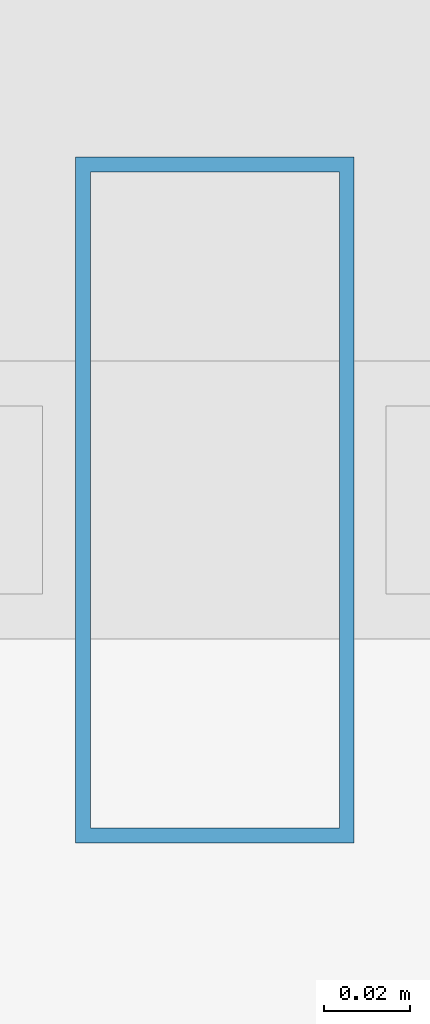
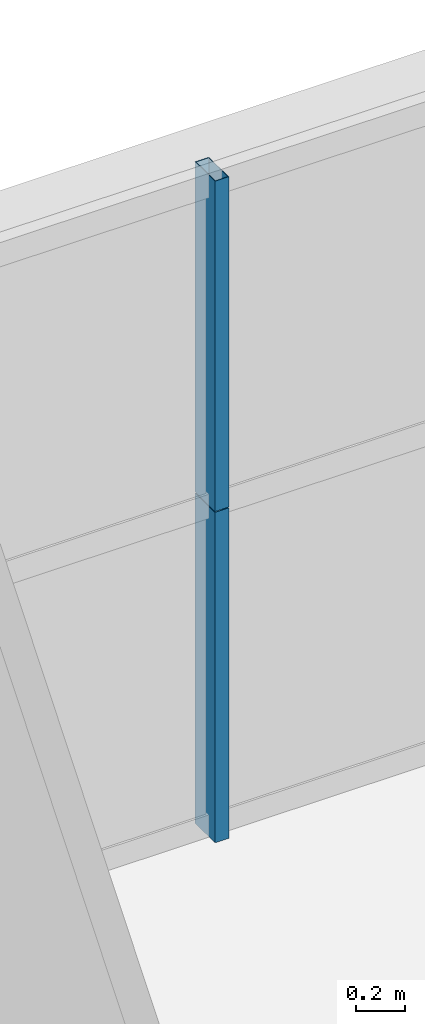
# One storey, part 34 of 45: 2 members, 1 element without a shape of its own.
"""IFC4 building model written with IfcOpenShell, lengths in metres."""

from ifc_helpers import new_model, si_unit, direction, frame, origin, origin_2d, place, context, subcontext, project, spatial, hollow_rectangle, extrude, source, transform, mapped, material, layer, layer_set, material_profile, profile_set, type_object, element, aggregate, save


model = new_model("IFC4")

# Units and contexts
model_context = context("Model", 3, precision=1e-05, world=origin(), true_north=direction((0.0, 1.0)))
body_context = subcontext(model_context, "Body", "Model", "MODEL_VIEW")
ifc_project = project(units=[si_unit("LENGTHUNIT", "METRE"), si_unit("AREAUNIT", "SQUARE_METRE"), si_unit("VOLUMEUNIT", "CUBIC_METRE"), si_unit("PLANEANGLEUNIT", "RADIAN"), si_unit("MASSUNIT", "GRAM", prefix="KILO"), si_unit("THERMODYNAMICTEMPERATUREUNIT", "KELVIN"), si_unit("POWERUNIT", "WATT")], contexts=[model_context])

# Site, building, storey
site_placement = place(None, origin())
site = spatial("IfcSite", under=ifc_project, at=site_placement, CompositionType="ELEMENT")
building_placement = place(site_placement, origin())
building = spatial("IfcBuilding", under=site, at=building_placement, Name="Yuzanri Waterfront Tower", CompositionType="ELEMENT")
storey_placement = place(building_placement, frame((0.0, 0.0, 198.5)))
storey = spatial("IfcBuildingStorey", under=building, at=storey_placement, Name="L52", CompositionType="ELEMENT", Elevation=198.5)

# Curtain wall, members
ifc_material_1 = material(Name="Anodized Architectural Bronze", Category="metal")
ifc_layer = layer(ifc_material_1, 0.159912109375)
ifc_layer_set = layer_set([ifc_layer], Name="Anodized Architectural Bronze")
curtain_wall_type = type_object("IfcCurtainWallType", Name="Anodized Bronze Mid-Rise Residential Acoustic Unitized Curtain Wall 7200", PredefinedType="NOTDEFINED", material=ifc_layer_set)
curtain_wall_placement = place(storey_placement, origin())
curtain_wall = element("IfcCurtainWall", 1, at=curtain_wall_placement, inside=storey, type_object=curtain_wall_type, Name="L52 Curtain Wall CW-L52-NL", PredefinedType="NOTDEFINED")
ifc_material_2 = material(Name="Anodized Architectural Bronze", Category="metal")
ifc_material_profile = material_profile(ifc_material_2, hollow_rectangle(XDim=0.06494140625, YDim=0.159912109375, WallThickness=0.00341796875, at=origin_2d()), Name="CWM 65x160")
ifc_profile_set = profile_set([ifc_material_profile], Name="Anodized Architectural Bronze")
member_type = type_object("IfcMemberType", Name="Anodized Bronze Upper-Zone Curtain-Wall Mullion 65x160", PredefinedType="MULLION", material=ifc_profile_set)
shared_shape = source(origin(), body_context, "Body", "SweptSolid", [
    extrude(hollow_rectangle(XDim=0.06494140625, YDim=0.159912109375, WallThickness=0.00341796875, at=origin_2d()), origin(), (0.0, 0.0, 1.0), 1.637939453125),
])
member_1_placement = place(storey_placement, frame((29.425048828125, 47.75, 0.0), z_axis=(0.0, 0.0, 1.0), x_axis=(1.0, 0.0, 0.0)))
member_1 = element("IfcMember", 2, at=member_1_placement, type_object=member_type, Name="CW-L52-NL Lower Mullion 01", PredefinedType="MULLION", context=body_context, shape_type="MappedRepresentation", body=[
    mapped(shared_shape, transform((0.0, 0.0, 0.0), scale=1.0)),
])
member_2_placement = place(storey_placement, frame((29.425048828125, 47.75, 1.64208984375), z_axis=(0.0, 0.0, 1.0), x_axis=(1.0, 0.0, 0.0)))
member_2 = element("IfcMember", 3, at=member_2_placement, type_object=member_type, Name="CW-L52-NL Upper Mullion 01", PredefinedType="MULLION", context=body_context, shape_type="MappedRepresentation", body=[
    mapped(shared_shape, transform((0.0, 0.0, 0.0), scale=1.0)),
])
aggregate(curtain_wall, [member_1, member_2])

save(model, "model.ifc")
